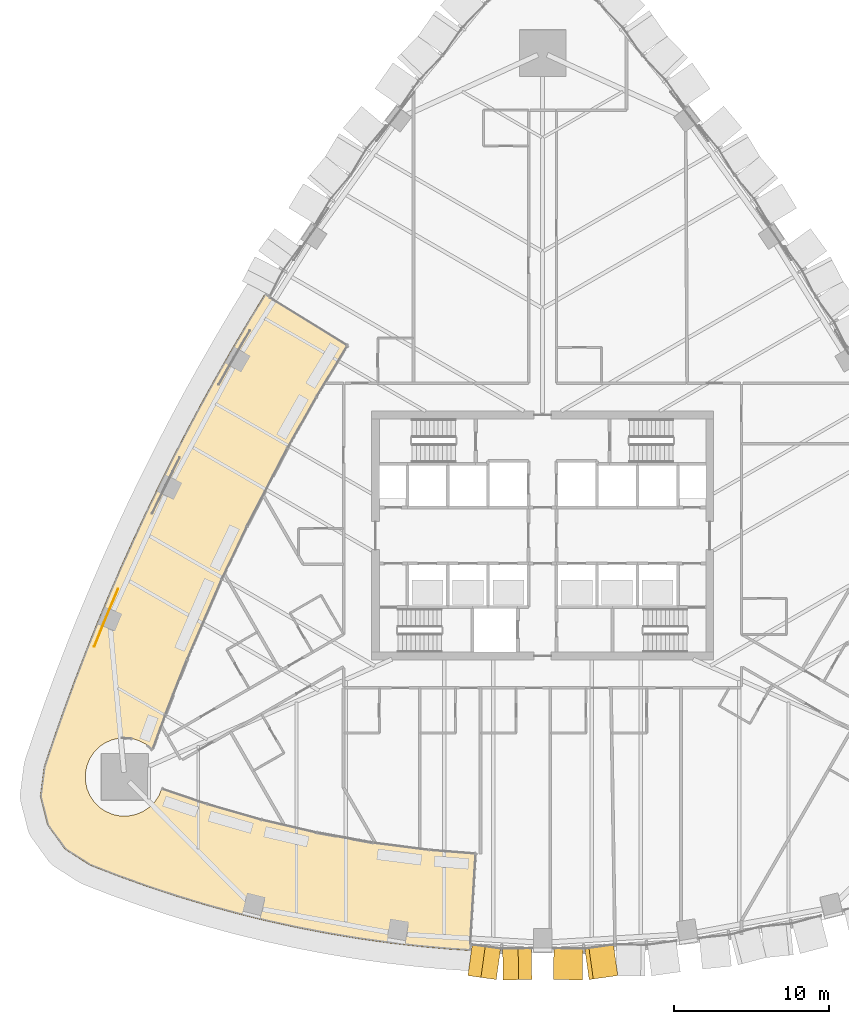
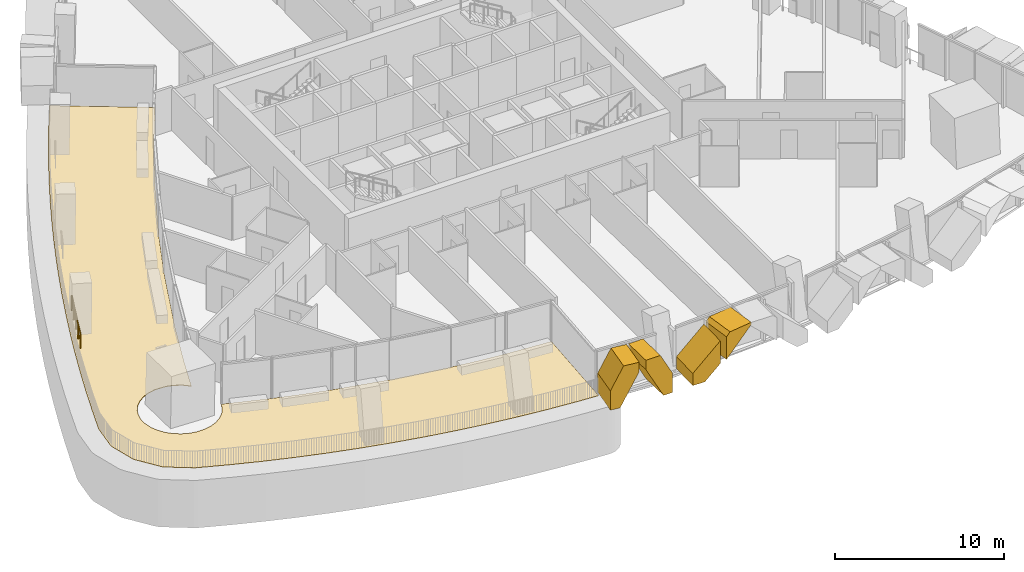
# One storey, part 19 of 24: 5 coverings, 1 railing.
"""IFC4 building model written with IfcOpenShell, lengths in metres."""

from ifc_helpers import new_model, si_unit, direction, frame, origin, origin_2d, place, context, subcontext, project, spatial, polyline, circle, outline, extrude, material, layer, layer_set, type_object, element, save


model = new_model("IFC4")

# Units and contexts
model_context = context("Model", 3, precision=1e-05, world=origin(), true_north=direction((0.0, 1.0)))
body_context = subcontext(model_context, "Body", "Model", "MODEL_VIEW")
ifc_project = project(units=[si_unit("LENGTHUNIT", "METRE"), si_unit("AREAUNIT", "SQUARE_METRE"), si_unit("VOLUMEUNIT", "CUBIC_METRE"), si_unit("PLANEANGLEUNIT", "RADIAN"), si_unit("MASSUNIT", "GRAM", prefix="KILO")], contexts=[model_context])

# Site, building, storey
site_placement = place(None, origin())
site = spatial("IfcSite", under=ifc_project, at=site_placement, CompositionType="ELEMENT")
building_placement = place(site_placement, origin())
building = spatial("IfcBuilding", under=site, at=building_placement, Name="Sierra Prisma Convention Tower", CompositionType="ELEMENT")
storey_placement = place(building_placement, frame((0.0, 0.0, 59.10009765625)))
storey = spatial("IfcBuildingStorey", under=building, at=storey_placement, Name="L10", CompositionType="ELEMENT", Elevation=59.10009765625)

# Coverings
ifc_material_1 = material(Name="Aluminium 6063-T6 bronze anodised", Category="aluminium")
ifc_layer_1 = layer(ifc_material_1, 2.0)
ifc_layer_set_1 = layer_set([ifc_layer_1], Name="Bronze crystal chevron frame")
covering_type_1 = type_object("IfcCoveringType", Name="Bronze crystal chevron frame", PredefinedType="CLADDING", material=ifc_layer_set_1)
covering_1_placement = place(storey_placement, frame((-4.8037109375, -28.308837890625, 0.0), z_axis=(-0.138131804835, -0.990413855159, 1.414384e-06), x_axis=(0.99041385516, -0.138131804835, -2.07e-10)))
element("IfcCovering", 1, at=covering_1_placement, inside=storey, type_object=covering_type_1, Name="CW-2 chevron frame S3b.1.1", PredefinedType="CLADDING", context=body_context, shape_type="SweptSolid", body=[
    extrude(outline(polyline([(0.0, 0.0), (0.6197228260179426, -2.6469779601696886e-23), (1.8435978254961816, 2.300537109784477), (1.8435978253553837, 2.9799804691587974), (0.8460120807851372, 2.979980468804971), (-2.880209176295952e-10, 1.3898925781236102), (0.0, 0.0)])), origin(), (0.0, 0.0, -1.0), 2.0),
])
covering_2_placement = place(storey_placement, frame((-2.534912109375, -28.590087890625, 2.97998046875), z_axis=(0.018623496089, -0.999826566629, -4.5341067e-05), x_axis=(-8.44409e-07, 4.5333203e-05, -0.999999998972)))
element("IfcCovering", 2, at=covering_2_placement, inside=storey, type_object=covering_type_1, Name="CW-2 chevron frame S3b.1.2", PredefinedType="CLADDING", context=body_context, shape_type="SweptSolid", body=[
    extrude(outline(polyline([(0.0, 0.0), (0.679443358676596, -7.193886389797113e-23), (2.979980472595521, 1.2240920879635104), (2.9799804697621366, 1.8435831295804066), (1.5900878930658155, 1.8435831295804066), (-1.2042166451149351e-09, 0.9977311379762167), (0.0, 0.0)])), origin(), (0.0, 0.0, -1.0), 2.0),
])
covering_3_placement = place(storey_placement, frame((0.691650390625, -28.5556640625, 0.0), z_axis=(-0.018645230295, -0.999826161974, 3.491068e-05), x_axis=(0.999826162584, -0.018645230307, -3.738e-09)))
element("IfcCovering", 3, at=covering_3_placement, inside=storey, type_object=covering_type_1, Name="CW-2 chevron frame S4.1.1", PredefinedType="CLADDING", context=body_context, shape_type="SweptSolid", body=[
    extrude(outline(polyline([(0.0, 0.0), (0.8202125804755636, 0.0), (1.8611627487970908, 0.969482429422756), (1.8611627426672177, 2.6093750065484422), (-3.2734635716075713e-09, 0.8757324213413482), (0.0, 0.0)])), origin(), (0.0, 0.0, -1.0), 2.0),
])
covering_4_placement = place(storey_placement, frame((2.9951171875, -28.563720703125, 2.73046875), z_axis=(0.137993611369, -0.990433117589, -5.2954739e-05), x_axis=(-7.307416e-06, 5.2448127e-05, -0.999999998598)))
element("IfcCovering", 4, at=covering_4_placement, inside=storey, type_object=covering_type_1, Name="CW-2 chevron frame S4.1.2", PredefinedType="CLADDING", context=body_context, shape_type="SweptSolid", body=[
    extrude(outline(polyline([(0.0, 0.0), (1.6398925758257032, 0.0), (-0.09350585994357709, 1.861310976749152), (-0.24951171909984093, 1.861310976749152), (-0.2495117241359072, 0.2679291591002737), (0.0, 0.0)])), origin(), (0.0, 0.0, -1.0), 2.0),
])

# Railing
ifc_material_2 = material(Name="Bronze anodised aluminium", Category="aluminium")
railing_type = type_object("IfcRailingType", Name="Facade guard 1100", PredefinedType="GUARDRAIL", material=ifc_material_2)
railing_placement = place(storey_placement, frame((-27.314453125, -3.444580078125, 0.0)))
element("IfcRailing", 5, at=railing_placement, inside=storey, type_object=railing_type, Name="Facade guard", PredefinedType="GUARDRAIL", context=body_context, shape_type="SweptSolid", body=[
    extrude(circle(Radius=0.02392578125, at=origin_2d()), frame((0.0, 0.0, 1.076171875), z_axis=(-0.39187361129, -0.920019061093, 0.0), x_axis=(0.920019061093, -0.39187361129, 0.0)), (0.0, 0.0, 1.0), 0.994384765625),
    extrude(circle(Radius=0.02392578125, at=origin_2d()), frame((-0.3896484375, -0.914794921875, 1.076171875), z_axis=(-0.384736720179, -0.923026357232, 0.0), x_axis=(0.923026357232, -0.384736720179, 0.0)), (0.0, 0.0, 1.0), 1.0),
    extrude(circle(Radius=0.02392578125, at=origin_2d()), frame((-0.7744140625, -1.837890625, 1.076171875), z_axis=(-0.378575487046, -0.925570419043, 0.0), x_axis=(0.925570419043, -0.378575487046, 0.0)), (0.0, 0.0, 1.0), 0.994384765625),
    extrude(circle(Radius=0.02392578125, at=origin_2d()), frame((-1.15087890625, -2.75830078125, 1.076171875), z_axis=(-0.371853689756, -0.928291351578, 0.0), x_axis=(0.928291351578, -0.371853689756, 0.0)), (0.0, 0.0, 1.0), 1.0),
    extrude(circle(Radius=0.02099609375, at=origin_2d()), origin(), (0.0, 0.0, 1.0), 1.052001953125),
    extrude(circle(Radius=0.02099609375, at=origin_2d()), frame((-0.3896484375, -0.914794921875, 0.0)), (0.0, 0.0, 1.0), 1.052001953125),
    extrude(circle(Radius=0.02099609375, at=origin_2d()), frame((-0.7744140625, -1.837890625, 0.0)), (0.0, 0.0, 1.0), 1.052001953125),
    extrude(circle(Radius=0.02099609375, at=origin_2d()), frame((-1.15087890625, -2.75830078125, 0.0)), (0.0, 0.0, 1.0), 1.052001953125),
    extrude(circle(Radius=0.02099609375, at=origin_2d()), frame((-1.522705078125, -3.6865234375, 0.0)), (0.0, 0.0, 1.0), 1.052001953125),
])

# Covering
ifc_material_3 = material(Name="Porcelain stoneware paving", Category="masonry")
ifc_layer_2 = layer(ifc_material_3, 0.0400390625)
ifc_layer_set_2 = layer_set([ifc_layer_2], Name="Terrace paving")
covering_type_2 = type_object("IfcCoveringType", Name="Terrace paving", PredefinedType="FLOORING", material=ifc_layer_set_2)
covering_5_placement = place(storey_placement, origin())
element("IfcCovering", 6, at=covering_5_placement, inside=storey, type_object=covering_type_2, Name="Terrace paving L10", PredefinedType="FLOORING", context=body_context, shape_type="SweptSolid", body=[
    extrude(outline(polyline([(-17.87939453125, 15.522216796875), (-17.92431640625, 15.450927734375), (-18.95166015625, 13.766845703125), (-19.95556640625, 12.06884765625), (-20.935546875, 10.35693359375), (-21.891845703125, 8.631591796875), (-22.823974609375, 6.893310546875), (-23.73193359375, 5.14208984375), (-24.615478515625, 3.378173828125), (-25.474365234375, 1.6025390625), (-26.308349609375, -0.18505859375), (-27.11767578125, -1.984130859375), (-27.90185546875, -3.794189453125), (-28.66064453125, -5.61474609375), (-29.394287109375, -7.446044921875), (-30.102294921875, -9.287109375), (-30.78466796875, -11.137939453125), (-31.441162109375, -12.998046875), (-32.07177734375, -14.8671875), (-32.3203125, -16.766845703125), (-31.852294921875, -18.62451171875), (-30.733642578125, -20.1796875), (-29.12109375, -21.214111328125), (-27.265869140625, -21.93212890625), (-25.392822265625, -22.602783203125), (-23.50341796875, -23.225341796875), (-21.598876953125, -23.7998046875), (-19.68017578125, -24.325439453125), (-17.748779296875, -24.802001953125), (-15.8056640625, -25.2294921875), (-13.8525390625, -25.60693359375), (-11.890380859375, -25.934814453125), (-9.92041015625, -26.212646484375), (-7.944091796875, -26.440185546875), (-5.962646484375, -26.6171875), (-4.681396484375, -26.698974609375), (-4.305419921875, -20.460205078125), (-7.308349609375, -20.221923828125), (-9.126708984375, -20.0126953125), (-10.93896484375, -19.757080078125), (-14.541015625, -19.108154296875), (-18.10546875, -18.276611328125), (-19.87060546875, -17.79296875), (-21.622802734375, -17.2646484375), (-24.496826171875, -16.28515625), (-24.678466796875, -16.720458984375), (-24.953125, -17.13134765625), (-25.302490234375, -17.48095703125), (-25.713623046875, -17.755615234375), (-26.170166015625, -17.944580078125), (-26.655029296875, -18.041015625), (-27.149169921875, -18.041015625), (-27.634033203125, -17.944580078125), (-28.090576171875, -17.755615234375), (-28.501708984375, -17.48095703125), (-28.85107421875, -17.13134765625), (-29.125732421875, -16.720458984375), (-29.31494140625, -16.263916015625), (-29.411376953125, -15.779052734375), (-29.411376953125, -15.284912109375), (-29.31494140625, -14.800048828125), (-29.125732421875, -14.343505859375), (-28.85107421875, -13.932373046875), (-28.501708984375, -13.5830078125), (-28.090576171875, -13.308349609375), (-27.634033203125, -13.119140625), (-27.149169921875, -13.022705078125), (-26.41015625, -13.05908203125), (-25.937255859375, -13.20263671875), (-25.501220703125, -13.435546875), (-25.08984375, -13.78173828125), (-24.253173828125, -11.48974609375), (-22.875, -7.979248046875), (-20.62646484375, -2.78857421875), (-19.0078125, 0.617919921875), (-16.404296875, 5.639892578125), (-14.55322265625, 8.92578125), (-12.553466796875, 12.227294921875), (-17.87939453125, 15.522216796875)])), origin(), (0.0, 0.0, 1.0), 0.039794921875),
])

save(model, "model.ifc")
